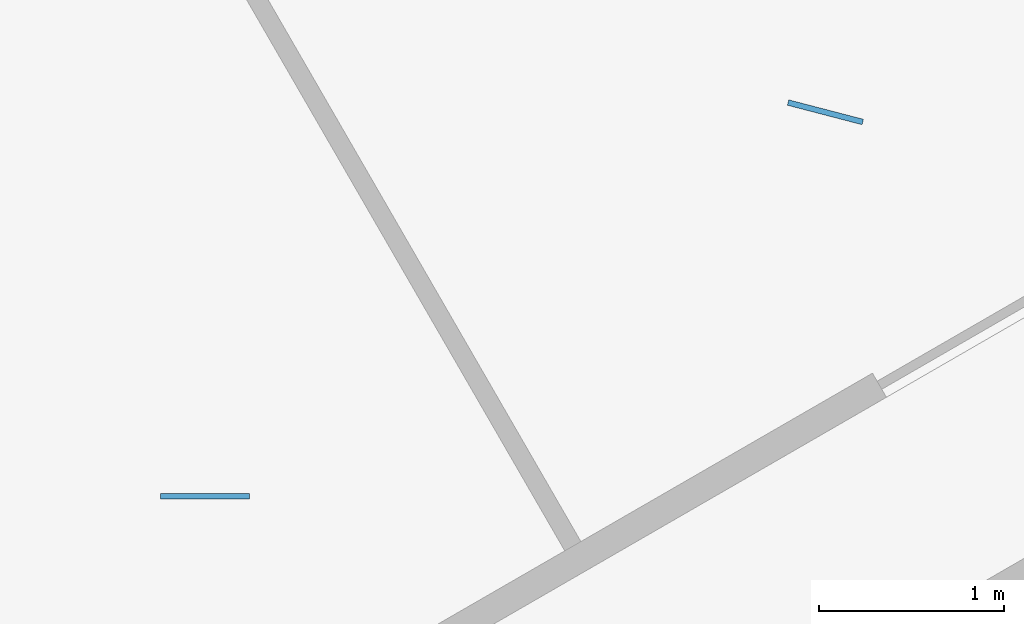
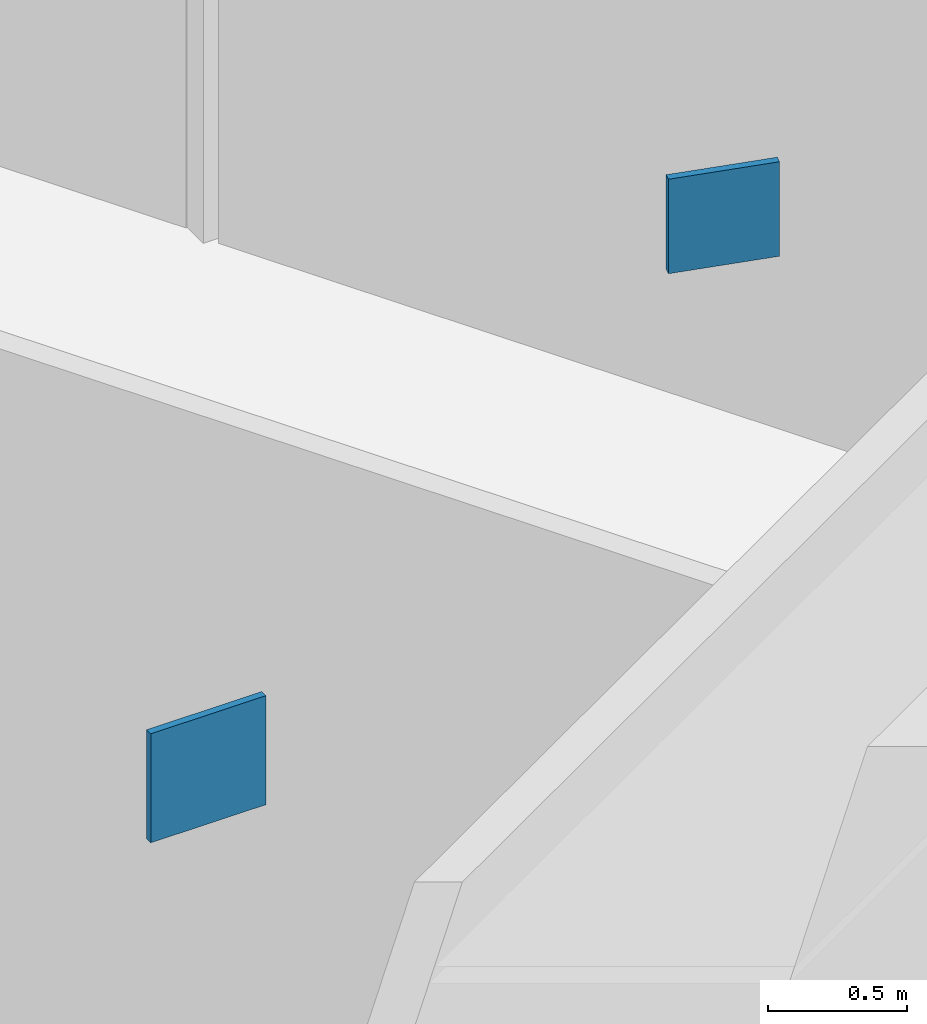
# One storey, part 18 of 23: 2 discrete accessories.
"""IFC4 building model written with IfcOpenShell, lengths in metres."""

import ifcopenshell
import ifcopenshell.guid

model = None  # the IFC model being written
_history = None  # IfcOwnerHistory: only IFC2X3 demands one
_inside = {}  # id of a spatial element -> (the spatial element, [elements in it])
_under = {}  # id of a project, library or spatial element -> (it, [spatial elements below it])
_declared = {}  # id of a project -> (the project, [libraries it declares])
_typed = {}  # id of a type object -> (the type object, [elements of that type])
_made_of = {}  # id of a material, layer set ... -> (it, [elements and type objects made of it])


def new_model(schema):
    """Start an empty IFC model of exactly this schema.

    Asked for "IFC4X3", IfcOpenShell would pick the latest addendum, in which some entities
    have other attributes; the version numbers below select the first issue.
    IFC2X3 requires an IfcOwnerHistory on every rooted entity: one is made here for all.
    """
    global model, _history
    if schema == "IFC4X3":
        model = ifcopenshell.file(schema_version=(4, 3, 0, 0))
    else:
        model = ifcopenshell.file(schema=schema)
    _inside.clear()
    _under.clear()
    _declared.clear()
    _typed.clear()
    _made_of.clear()
    _history = None
    if model.schema == "IFC2X3":
        org = make("IfcOrganization", Name="unknown")
        user = make(
            "IfcPersonAndOrganization",
            ThePerson=make("IfcPerson", FamilyName="unknown"),
            TheOrganization=org,
        )
        app = make(
            "IfcApplication",
            ApplicationDeveloper=org,
            Version="unknown",
            ApplicationFullName="unknown",
            ApplicationIdentifier="unknown",
        )
        _history = make(
            "IfcOwnerHistory",
            OwningUser=user,
            OwningApplication=app,
            ChangeAction="ADDED",
            CreationDate=0,
        )
    return model


def make(cls, **values):
    """One entity of the class cls with the attributes given. An attribute that is None is left unset."""
    return model.create_entity(
        cls, **{name: value for name, value in values.items() if value is not None}
    )


def rooted(cls, **values):
    """An entity with a GlobalId (a new one), such as an element, a storey or a relation."""
    return make(cls, GlobalId=ifcopenshell.guid.new(), OwnerHistory=_history, **values)


def si_unit(unit_type, name, prefix=None):
    """IfcSIUnit, for example si_unit("LENGTHUNIT", "METRE", prefix="MILLI")."""
    return make("IfcSIUnit", UnitType=unit_type, Prefix=prefix, Name=name)


def assignment(units):
    """IfcUnitAssignment: the units of a project."""
    return None if units is None else make("IfcUnitAssignment", Units=units)


def point(xyz):
    """IfcCartesianPoint."""
    return None if xyz is None else make("IfcCartesianPoint", Coordinates=xyz)


def direction(xyz):
    """IfcDirection."""
    return None if xyz is None else make("IfcDirection", DirectionRatios=xyz)


def frame(location, z_axis=None, x_axis=None):
    """IfcAxis2Placement3D, a coordinate frame: its origin and axes. An axis left out is left unset."""
    return make(
        "IfcAxis2Placement3D",
        Location=point(location),
        Axis=direction(z_axis),
        RefDirection=direction(x_axis),
    )


def frame_2d(location, x_axis=None):
    """IfcAxis2Placement2D, a coordinate frame in the plane: its origin and x axis."""
    return make(
        "IfcAxis2Placement2D", Location=point(location), RefDirection=direction(x_axis)
    )


def origin():
    """The frame at (0, 0, 0) with its axes left unset."""
    return frame((0.0, 0.0, 0.0))


def origin_2d():
    """The frame at (0, 0) in the plane with its x axis left unset."""
    return frame_2d((0.0, 0.0))


def place(relative_to, where):
    """IfcLocalPlacement: puts the frame where relative to a parent placement (None: the world)."""
    return make(
        "IfcLocalPlacement", PlacementRelTo=relative_to, RelativePlacement=where
    )


def context(
    kind, dimensions, precision=None, world=None, true_north=None, identifier=None
):
    """IfcGeometricRepresentationContext, for example the 3D "Model" context."""
    return make(
        "IfcGeometricRepresentationContext",
        ContextIdentifier=identifier,
        ContextType=kind,
        CoordinateSpaceDimension=dimensions,
        Precision=precision,
        WorldCoordinateSystem=world,
        TrueNorth=true_north,
    )


def subcontext(parent, identifier, kind, view, scale=None):
    """IfcGeometricRepresentationSubContext, for example "Body" below "Model"."""
    return make(
        "IfcGeometricRepresentationSubContext",
        ContextIdentifier=identifier,
        ContextType=kind,
        ParentContext=parent,
        TargetScale=scale,
        TargetView=view,
    )


def project(units=None, contexts=None):
    """IfcProject with its units and contexts."""
    return rooted(
        "IfcProject",
        Name="project",
        RepresentationContexts=contexts,
        UnitsInContext=assignment(units),
    )


def spatial(cls, under=None, at=None, **own):
    """A site, building, storey or space (cls), placed at a placement, below another one or the project."""
    s = rooted(cls, ObjectPlacement=at, **own)
    if under is not None:
        _under.setdefault(under.id(), (under, []))[1].append(s)
    return s


def profile(cls, at=None, kind="AREA", **sizes):
    """A parametric profile (cls). Its sizes go by their IFC names, for example OverallWidth=200.0."""
    return make(cls, ProfileType=kind, Position=at, **sizes)


def rectangle(**sizes):
    """IfcRectangleProfileDef."""
    return profile("IfcRectangleProfileDef", **sizes)


def extrude(swept, where, along, depth):
    """IfcExtrudedAreaSolid: the profile swept, set in the frame where, extruded along a direction by depth."""
    return make(
        "IfcExtrudedAreaSolid",
        SweptArea=swept,
        Position=where,
        ExtrudedDirection=direction(along),
        Depth=depth,
    )


def shape(context_of_items, identifier, shape_type, items):
    """IfcShapeRepresentation: the items that make up one representation, for example the "Body"."""
    return make(
        "IfcShapeRepresentation",
        ContextOfItems=context_of_items,
        RepresentationIdentifier=identifier,
        RepresentationType=shape_type,
        Items=items,
    )


def material(Name=None, Category=None):
    """IfcMaterial."""
    return make("IfcMaterial", Name=Name, Category=Category)


def layer(
    of_material, thickness, ventilated=None, Name=None, Category=None, Priority=None
):
    """IfcMaterialLayer: one layer of a wall or slab, of a material (None: an air gap)."""
    return make(
        "IfcMaterialLayer",
        Material=of_material,
        LayerThickness=thickness,
        IsVentilated=ventilated,
        Name=Name,
        Category=Category,
        Priority=Priority,
    )


def layer_set(layers, Name=None):
    """IfcMaterialLayerSet."""
    return make("IfcMaterialLayerSet", MaterialLayers=layers, LayerSetName=Name)


def made_of(thing, what):
    """Note that an element or type object is made of a material, layer set ...; save() writes the relation."""
    if what is not None:
        _made_of.setdefault(what.id(), (what, []))[1].append(thing)
    return thing


def type_object(cls, material=None, **own):
    """A type object (cls), such as IfcWallType, which elements share."""
    return made_of(rooted(cls, **own), material)


def element(
    cls,
    number,
    at=None,
    inside=None,
    cuts=None,
    type_object=None,
    material=None,
    context=None,
    identifier="Body",
    shape_type=None,
    held_by="IfcProductDefinitionShape",
    body=None,
    shapes=None,
    **own,
):
    """One element of the class cls, such as IfcWall. Its Tag is "e" and its number.

    at: its placement. inside: the storey or other place that contains it. cuts: it is an
    opening in that element (IfcRelVoidsElement). A single representation is given by context,
    identifier, shape_type and body (its items); several are given by shapes. held_by: the class
    of the entity that holds the representations. save() writes the other relations.
    """
    e = rooted(cls, Tag="e%d" % number, ObjectPlacement=at, **own)
    if body is not None:
        shapes = [shape(context, identifier, shape_type, body)]
    if shapes is not None:
        e.Representation = make(held_by, Representations=shapes)
    if inside is not None:
        _inside.setdefault(inside.id(), (inside, []))[1].append(e)
    if cuts is not None:
        rooted(
            "IfcRelVoidsElement", RelatingBuildingElement=cuts, RelatedOpeningElement=e
        )
    if type_object is not None:
        _typed.setdefault(type_object.id(), (type_object, []))[1].append(e)
    return made_of(e, material)


def aggregate(whole, parts):
    """IfcRelAggregates: a whole, such as a stair, and the parts it consists of."""
    return rooted("IfcRelAggregates", RelatingObject=whole, RelatedObjects=parts)


def save(model, path):
    """Write the relations noted so far, then the file.

    IfcRelAggregates (storeys below a building ...), IfcRelContainedInSpatialStructure (elements
    in a storey), IfcRelDefinesByType, IfcRelAssociatesMaterial and IfcRelDeclares: one each for
    every whole, place, type object, material and project.
    """
    for whole, parts in _under.values():
        aggregate(whole, parts)
    for where, things in _inside.values():
        rooted(
            "IfcRelContainedInSpatialStructure",
            RelatedElements=things,
            RelatingStructure=where,
        )
    for kind, things in _typed.values():
        rooted("IfcRelDefinesByType", RelatedObjects=things, RelatingType=kind)
    for what, things in _made_of.values():
        rooted("IfcRelAssociatesMaterial", RelatedObjects=things, RelatingMaterial=what)
    for by, libraries in _declared.values():
        rooted("IfcRelDeclares", RelatingContext=by, RelatedDefinitions=libraries)
    model.write(path)


model = new_model("IFC4")

# Units and contexts
model_context = context("Model", 3, precision=1e-05, world=origin(), true_north=direction((0.0, 1.0)))
body_context = subcontext(model_context, "Body", "Model", "MODEL_VIEW")
ifc_project = project(units=[si_unit("LENGTHUNIT", "METRE"), si_unit("AREAUNIT", "SQUARE_METRE"), si_unit("VOLUMEUNIT", "CUBIC_METRE"), si_unit("PLANEANGLEUNIT", "RADIAN"), si_unit("MASSUNIT", "GRAM", prefix="KILO")], contexts=[model_context])

# Site, building, storey
site_placement = place(None, origin())
site = spatial("IfcSite", under=ifc_project, at=site_placement, CompositionType="ELEMENT")
building_placement = place(site_placement, origin())
building = spatial("IfcBuilding", under=site, at=building_placement, Name="Ayvan Gate Tower", CompositionType="ELEMENT")
storey_placement = place(building_placement, frame((0.0, 0.0, 198.699951171875)))
storey = spatial("IfcBuildingStorey", under=building, at=storey_placement, Name="L53", CompositionType="ELEMENT", Elevation=198.699951171875)

# Discrete accessories
ifc_material = material(Name="Steel S460ML", Category="steel")
ifc_layer = layer(ifc_material, 0.030029296875)
ifc_layer_set = layer_set([ifc_layer], Name="Steel S460ML")
discrete_accessory_type = type_object("IfcDiscreteAccessoryType", Name="Gusset plate 30 mm", PredefinedType="BRACKET", material=ifc_layer_set)
discrete_accessory_1_placement = place(storey_placement, frame((-4.0244140625, 11.673095703125, 2.491943359375), z_axis=(0.0, 0.0, 1.0), x_axis=(-0.967682328412, 0.252172384053, 0.0)))
element("IfcDiscreteAccessory", 1, at=discrete_accessory_1_placement, inside=storey, type_object=discrete_accessory_type, Name="Gusset plate SBT5-1-D-2", PredefinedType="BRACKET", context=body_context, shape_type="SweptSolid", body=[
    extrude(rectangle(XDim=0.416015625, YDim=0.030029296875, at=origin_2d()), origin(), (0.0, 0.0, 1.0), 0.416015625),
])
discrete_accessory_2_placement = place(storey_placement, frame((-7.372314453125, 9.60009765625, 2.4599609375), z_axis=(0.0, 0.0, 1.0), x_axis=(1.0, 0.0, 0.0)))
element("IfcDiscreteAccessory", 2, at=discrete_accessory_2_placement, inside=storey, type_object=discrete_accessory_type, Name="Gusset plate SBT5-2-D-2", PredefinedType="BRACKET", context=body_context, shape_type="SweptSolid", body=[
    extrude(rectangle(XDim=0.47998046875, YDim=0.030029296875, at=origin_2d()), origin(), (0.0, 0.0, 1.0), 0.47998046875),
])

save(model, "model.ifc")
